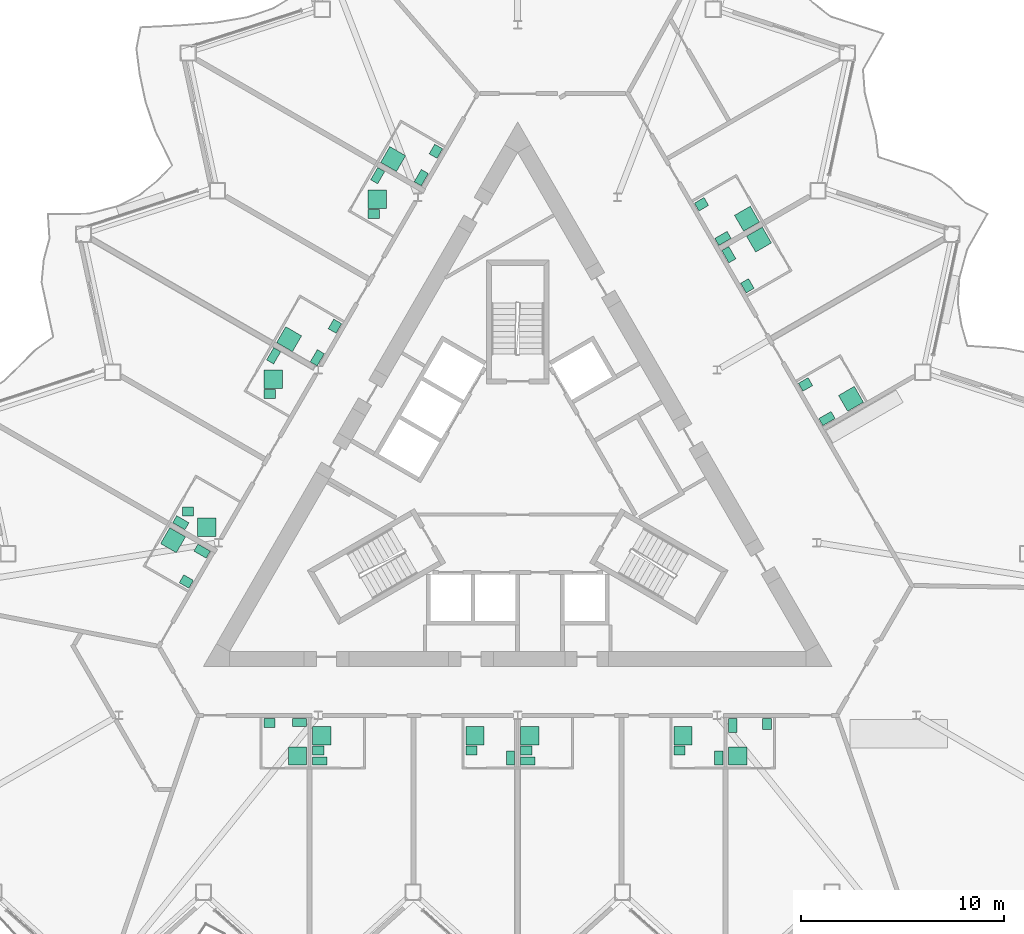
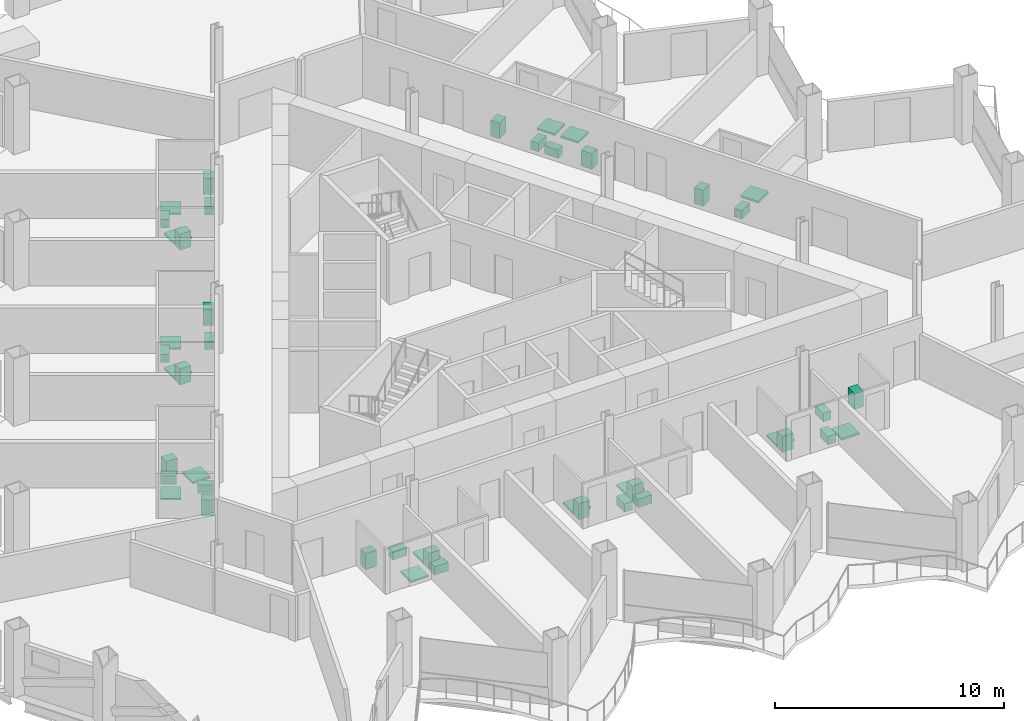
# One storey, part 22 of 23: 45 sanitary terminals.
"""IFC4 building model written with IfcOpenShell, lengths in metres."""

from ifc_helpers import new_model, si_unit, direction, frame, origin, origin_2d, place, context, subcontext, project, spatial, rectangle, extrude, material, type_object, element, save


model = new_model("IFC4")

# Units and contexts
model_context = context("Model", 3, precision=1e-05, world=origin(), true_north=direction((0.0, 1.0)))
body_context = subcontext(model_context, "Body", "Model", "MODEL_VIEW")
ifc_project = project(units=[si_unit("LENGTHUNIT", "METRE"), si_unit("AREAUNIT", "SQUARE_METRE"), si_unit("VOLUMEUNIT", "CUBIC_METRE"), si_unit("PLANEANGLEUNIT", "RADIAN"), si_unit("MASSUNIT", "GRAM", prefix="KILO")], contexts=[model_context])

# Site, building, storey
site_placement = place(None, origin())
site = spatial("IfcSite", under=ifc_project, at=site_placement, CompositionType="ELEMENT")
building_placement = place(site_placement, origin())
building = spatial("IfcBuilding", under=site, at=building_placement, Name="Cormorant Prow Tower", CompositionType="ELEMENT")
storey_placement = place(building_placement, frame((0.0, 0.0, 180.0)))
storey = spatial("IfcBuildingStorey", under=building, at=storey_placement, Name="L38", CompositionType="ELEMENT", Elevation=180.0)

# Sanitary terminals
ifc_material_1 = material(Name="Vitreous china")
sanitary_terminal_type_1 = type_object("IfcSanitaryTerminalType", Name="Shower tray 900x900", PredefinedType="SHOWER", material=ifc_material_1)
for number, where, z_axis, x_axis, name in (
    (1, (-10.84912109375, -13.35400390625, 0.0), (0.0, 0.0, 1.0), (-1.0, 0.0, 0.0), "Shower tray"),
    (2, (-9.6591796875, -12.35400390625, 0.0), (0.0, 0.0, 1.0), (1.0, 0.0, 0.0), "Shower tray"),
    (3, (-2.10498046875, -12.35400390625, 0.0), (0.0, 0.0, 1.0), (1.0, 0.0, 0.0), "Shower tray"),
    (4, (0.594970703125, -12.35400390625, 0.0), (0.0, 0.0, 1.0), (1.0, 0.0, 0.0), "Shower tray"),
    (5, (8.149169921875, -12.35400390625, 0.0), (0.0, 0.0, 1.0), (1.0, 0.0, 0.0), "Shower tray"),
    (6, (10.84912109375, -13.35400390625, 0.0), (0.0, 0.0, 1.0), (0.0, 1.0, 0.0), "Shower tray"),
    (7, (16.428955078125, 4.251953125, 0.0), (0.0, 0.0, 1.0), (-0.866025403784, -0.5, 0.0), "Shower tray"),
    (8, (11.89697265625, 12.101806640625, 0.0), (0.0, 0.0, 1.0), (0.5, -0.866025403784, 0.0), "Shower tray"),
    (9, (11.302001953125, 13.132568359375, 0.0), (0.0, 0.0, 1.0), (-0.866025403784, -0.5, 0.0), "Shower tray"),
    (10, (-6.14013671875, 16.07275390625, 0.0), (0.0, 0.0, 1.0), (0.5, 0.866025403784, 0.0), "Shower tray"),
    (11, (-6.923095703125, 14.096435546875, 0.0), (0.0, 0.0, 1.0), (1.0, 0.0, 0.0), "Shower tray"),
    (12, (-11.267333984375, 7.1923828125, 0.0), (0.0, 0.0, 1.0), (0.5, 0.866025403784, 0.0), "Shower tray"),
    (13, (-12.05029296875, 5.216064453125, 0.0), (0.0, 0.0, 1.0), (1.0, 0.0, 0.0), "Shower tray"),
    (14, (-15.327392578125, -2.076171875, 0.0), (0.0, 0.0, 1.0), (1.0, 0.0, 0.0), "Shower tray"),
    (15, (-16.989501953125, -2.71875, 0.0), (0.0, 0.0, 1.0), (0.866025403784, -0.5, 0.0), "Shower tray"),
):
    element("IfcSanitaryTerminal", number, at=place(storey_placement, frame(where, z_axis=z_axis, x_axis=x_axis)), inside=storey, type_object=sanitary_terminal_type_1, Name=name, PredefinedType="SHOWER", context=body_context, shape_type="SweptSolid", body=[
        extrude(rectangle(XDim=0.89990234375, YDim=0.89990234375, at=origin_2d()), origin(), (0.0, 0.0, 1.0), 0.10009765625),
    ])
ifc_material_2 = material(Name="Vitreous china")
sanitary_terminal_type_2 = type_object("IfcSanitaryTerminalType", Name="Wash basin 550x450", PredefinedType="WASHHANDBASIN", material=ifc_material_2)
for number, where, z_axis, x_axis, name in (
    (16, (-12.234130859375, -11.718994140625, 0.0), (0.0, 0.0, 1.0), (1.0, 0.0, 0.0), "Wash basin"),
    (17, (-9.834228515625, -13.078857421875, 0.0), (0.0, 0.0, 1.0), (1.0, 0.0, 0.0), "Wash basin"),
    (18, (-2.280029296875, -13.078857421875, 0.0), (0.0, 0.0, 1.0), (1.0, 0.0, 0.0), "Wash basin"),
    (19, (0.419921875, -13.078857421875, 0.0), (0.0, 0.0, 1.0), (1.0, 0.0, 0.0), "Wash basin"),
    (20, (7.97412109375, -13.078857421875, 0.0), (0.0, 0.0, 1.0), (1.0, 0.0, 0.0), "Wash basin"),
    (21, (12.2841796875, -11.768798828125, 0.0), (0.0, 0.0, 1.0), (0.0, -1.0, 0.0), "Wash basin"),
    (22, (14.188720703125, 4.962158203125, 0.0), (0.0, 0.0, 1.0), (0.866025403784, 0.5, 0.0), "Wash basin"),
    (23, (11.323486328125, 9.8251953125, 0.0), (0.0, 0.0, 1.0), (-0.5, 0.866025403784, 0.0), "Wash basin"),
    (24, (9.061767578125, 13.842529296875, 0.0), (0.0, 0.0, 1.0), (0.866025403784, 0.5, 0.0), "Wash basin"),
    (25, (-4.03173828125, 16.45458984375, 0.0), (0.0, 0.0, 1.0), (-0.5, -0.866025403784, 0.0), "Wash basin"),
    (26, (-7.09814453125, 13.371337890625, 0.0), (0.0, 0.0, 1.0), (1.0, 0.0, 0.0), "Wash basin"),
    (27, (-9.0087890625, 7.833984375, 0.0), (0.0, 0.0, 1.0), (-0.5, -0.866025403784, 0.0), "Wash basin"),
    (28, (-12.225341796875, 4.490966796875, 0.0), (0.0, 0.0, 1.0), (1.0, 0.0, 0.0), "Wash basin"),
    (29, (-16.25244140625, -1.30126953125, 0.0), (0.0, 0.0, 1.0), (1.0, 0.0, 0.0), "Wash basin"),
    (30, (-16.334228515625, -4.75390625, 0.0), (0.0, 0.0, 1.0), (-0.866025403784, 0.5, 0.0), "Wash basin"),
):
    element("IfcSanitaryTerminal", number, at=place(storey_placement, frame(where, z_axis=z_axis, x_axis=x_axis)), inside=storey, type_object=sanitary_terminal_type_2, Name=name, PredefinedType="WASHHANDBASIN", context=body_context, shape_type="SweptSolid", body=[
        extrude(rectangle(XDim=0.550048828125, YDim=0.449951171875, at=origin_2d()), origin(), (0.0, 0.0, 1.0), 0.85009765625),
    ])
ifc_material_3 = material(Name="Vitreous china")
sanitary_terminal_type_3 = type_object("IfcSanitaryTerminalType", Name="Water closet 400x700", PredefinedType="WCSEAT", material=ifc_material_3)
for number, where, z_axis, x_axis, name in (
    (31, (-10.749267578125, -11.69384765625, 0.0), (0.0, 0.0, 1.0), (0.0, -1.0, 0.0), "Water closet"),
    (32, (-9.75927734375, -13.60400390625, 0.0), (0.0, 0.0, 1.0), (0.0, 1.0, 0.0), "Water closet"),
    (33, (-0.344970703125, -13.453857421875, 0.0), (0.0, 0.0, 1.0), (-1.0, 0.0, 0.0), "Water closet"),
    (34, (0.4951171875, -13.60400390625, 0.0), (0.0, 0.0, 1.0), (0.0, 1.0, 0.0), "Water closet"),
    (35, (9.9091796875, -13.453857421875, 0.0), (0.0, 0.0, 1.0), (-1.0, 0.0, 0.0), "Water closet"),
    (36, (10.59912109375, -11.843994140625, 0.0), (0.0, 0.0, 1.0), (1.0, 0.0, 0.0), "Water closet"),
    (37, (15.246337890625, 3.280517578125, 0.0), (0.0, 0.0, 1.0), (-0.5, 0.866025403784, 0.0), "Water closet"),
    (38, (10.4091796875, 11.3583984375, 0.0), (0.0, 0.0, 1.0), (0.866025403784, 0.5, 0.0), "Water closet"),
    (39, (10.119140625, 12.160888671875, 0.0), (0.0, 0.0, 1.0), (-0.5, 0.866025403784, 0.0), "Water closet"),
    (40, (-4.752685546875, 15.156005859375, 0.0), (0.0, 0.0, 1.0), (-0.866025403784, 0.5, 0.0), "Water closet"),
    (41, (-6.901611328125, 15.253662109375, 0.0), (0.0, 0.0, 1.0), (0.866025403784, -0.5, 0.0), "Water closet"),
    (42, (-9.879638671875, 6.275634765625, 0.0), (0.0, 0.0, 1.0), (-0.866025403784, 0.5, 0.0), "Water closet"),
    (43, (-12.02880859375, 6.373291015625, 0.0), (0.0, 0.0, 1.0), (0.866025403784, -0.5, 0.0), "Water closet"),
    (44, (-16.606201171875, -1.854736328125, 0.0), (0.0, 0.0, 1.0), (0.5, 0.866025403784, 0.0), "Water closet"),
    (45, (-15.556884765625, -3.257080078125, 0.0), (0.0, 0.0, 1.0), (-0.5, -0.866025403784, 0.0), "Water closet"),
):
    element("IfcSanitaryTerminal", number, at=place(storey_placement, frame(where, z_axis=z_axis, x_axis=x_axis)), inside=storey, type_object=sanitary_terminal_type_3, Name=name, PredefinedType="WCSEAT", context=body_context, shape_type="SweptSolid", body=[
        extrude(rectangle(XDim=0.39990234375, YDim=0.699951171875, at=origin_2d()), origin(), (0.0, 0.0, 1.0), 0.449951171875),
    ])

save(model, "model.ifc")
